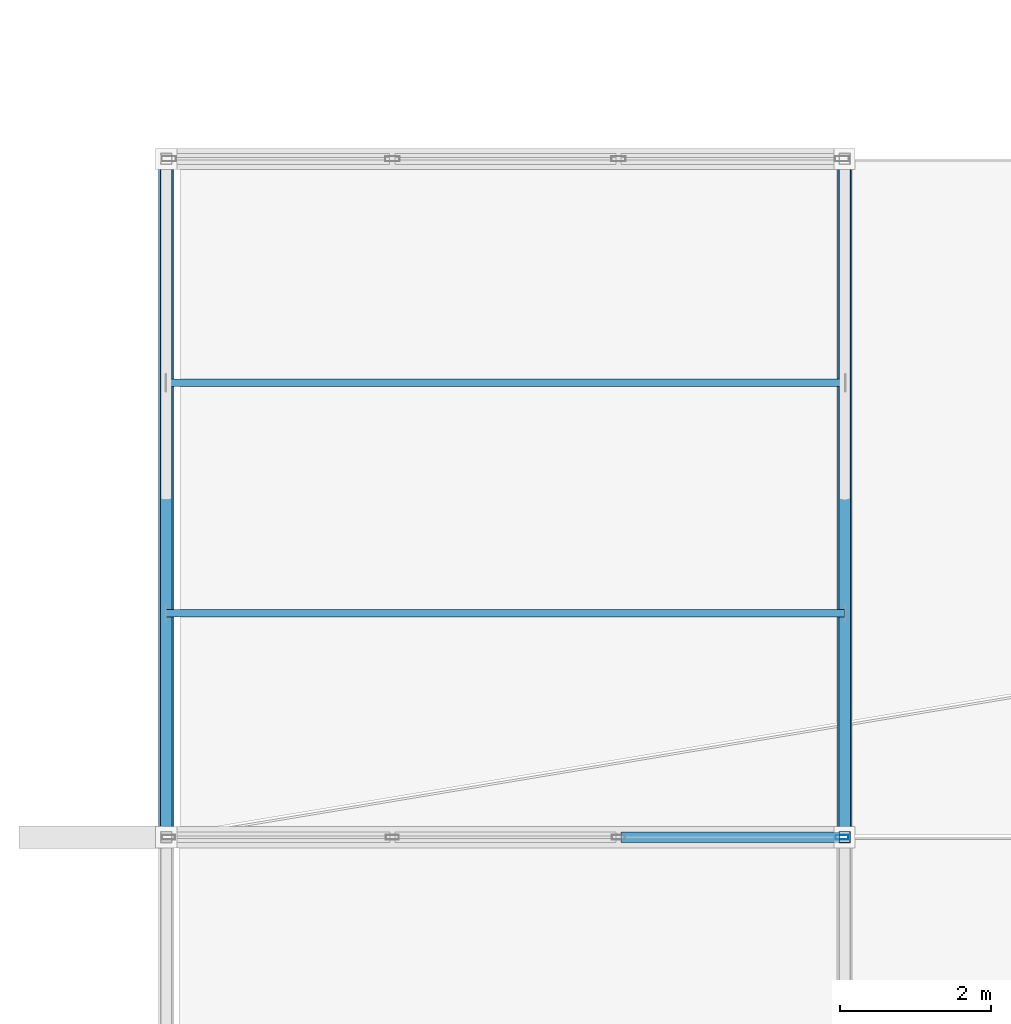
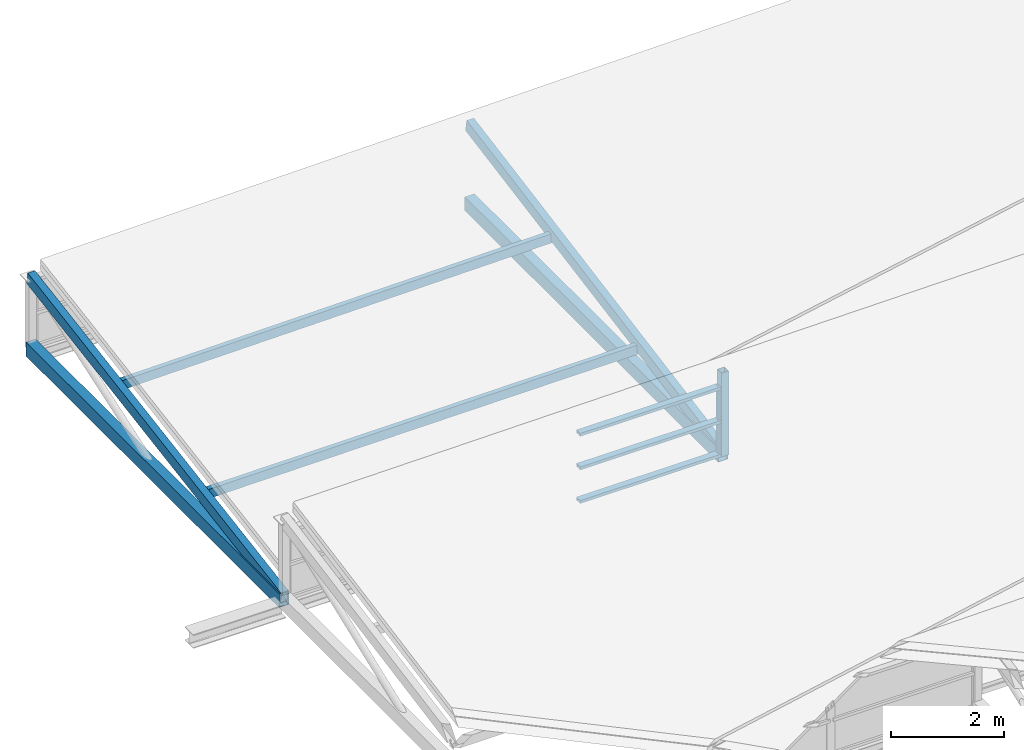
# One storey, part 24 of 103: 11 members, 1 element without a shape of its own.
"""IFC4 building model written with IfcOpenShell, lengths in metres."""

from ifc_helpers import new_model, si_unit, direction, frame, origin, origin_2d, place, context, subcontext, project, spatial, hollow_rectangle, extrude, material, layer, layer_set, material_profile, profile_set, type_object, element, aggregate, save


model = new_model("IFC4")

# Units and contexts
model_context = context("Model", 3, precision=1e-05, world=origin(), true_north=direction((0.0, 1.0)))
body_context = subcontext(model_context, "Body", "Model", "MODEL_VIEW")
ifc_project = project(units=[si_unit("LENGTHUNIT", "METRE"), si_unit("AREAUNIT", "SQUARE_METRE"), si_unit("VOLUMEUNIT", "CUBIC_METRE"), si_unit("PLANEANGLEUNIT", "RADIAN"), si_unit("MASSUNIT", "GRAM", prefix="KILO")], contexts=[model_context])

# Site, building, storey
site_placement = place(None, origin())
site = spatial("IfcSite", under=ifc_project, at=site_placement, CompositionType="ELEMENT")
building_placement = place(site_placement, origin())
building = spatial("IfcBuilding", under=site, at=building_placement, Name="Deido Ridge Mobility Hub", CompositionType="ELEMENT")
storey_placement = place(building_placement, frame((0.0, 0.0, 12.60009765625)))
storey = spatial("IfcBuildingStorey", under=building, at=storey_placement, Name="L03", CompositionType="ELEMENT", Elevation=12.60009765625)

# Members
ifc_material_1 = material(Name="Steel S355J2H EN 10210-1", Category="steel")
ifc_material_profile_1 = material_profile(ifc_material_1, hollow_rectangle(XDim=0.199951171875, YDim=0.300048828125, WallThickness=0.012451171875, at=origin_2d()), Name="RHS 300x200x12.5")
ifc_profile_set_1 = profile_set([ifc_material_profile_1], Name="Steel S355J2H EN 10210-1")
member_type_1 = type_object("IfcMemberType", Name="MEM-CHD-RHS300", PredefinedType="CHORD", material=ifc_profile_set_1)
for number, where, z_axis, x_axis, name in (
    (1, (0.0, 72.0, 0.0), (0.0, 1.0, 0.0), (-1.0, 0.0, 0.0), "Sawtooth bottom chord CH1"),
    (2, (9.0, 72.0, 0.0), (0.0, 1.0, 0.0), (-1.0, 0.0, 0.0), "Sawtooth bottom chord CH1"),
):
    element("IfcMember", number, at=place(storey_placement, frame(where, z_axis=z_axis, x_axis=x_axis)), inside=storey, type_object=member_type_1, Name=name, PredefinedType="CHORD", context=body_context, shape_type="SweptSolid", body=[
        extrude(hollow_rectangle(XDim=0.199951171875, YDim=0.300048828125, WallThickness=0.012451171875, at=origin_2d()), origin(), (0.0, 0.0, 1.0), 9.0),
    ])

# Curtain wall, member
ifc_material_2 = material(Name="Anodised aluminium EN AW-6063 T6", Category="aluminium")
ifc_layer = layer(ifc_material_2, 0.14404296875, Name="Anodised aluminium EN AW-6063 T6")
ifc_layer_set = layer_set([ifc_layer], Name="Anodised aluminium EN AW-6063 T6")
curtain_wall_type = type_object("IfcCurtainWallType", Name="CW-GS-2", PredefinedType="USERDEFINED", material=ifc_layer_set)
curtain_wall_placement = place(storey_placement, origin())
curtain_wall = element("IfcCurtainWall", 3, at=curtain_wall_placement, inside=storey, type_object=curtain_wall_type, Name="Unitised curtain wall GS2", ObjectType="GLAZED SCREEN", PredefinedType="USERDEFINED")
ifc_material_profile_2 = material_profile(ifc_material_2, hollow_rectangle(XDim=0.06494140625, YDim=0.175048828125, WallThickness=0.00390625, at=origin_2d()), Name="RHS 65x175x4")
ifc_profile_set_2 = profile_set([ifc_material_profile_2], Name="Anodised aluminium EN AW-6063 T6")
member_type_2 = type_object("IfcMemberType", Name="MEM-MUL-65X175", PredefinedType="MULLION", material=ifc_profile_set_2)
member_1_placement = place(storey_placement, frame((8.967529296875, 72.0, 0.0), z_axis=(0.0, 0.0, 1.0), x_axis=(0.0, 1.0, 0.0)))
member_1 = element("IfcMember", 4, at=member_1_placement, type_object=member_type_2, Name="GS2 mullion 4", PredefinedType="MULLION", context=body_context, shape_type="SweptSolid", body=[
    extrude(hollow_rectangle(XDim=0.06494140625, YDim=0.175048828125, WallThickness=0.00390625, at=origin_2d()), origin(), (0.0, 0.0, 1.0), 1.52001953125),
])

# Members
ifc_material_profile_3 = material_profile(ifc_material_1, hollow_rectangle(XDim=0.14990234375, YDim=0.14990234375, WallThickness=0.008056640625, at=origin_2d()), Name="SHS 150x150x8")
ifc_profile_set_3 = profile_set([ifc_material_profile_3], Name="Steel S355J2H EN 10210-1")
member_type_3 = type_object("IfcMemberType", Name="MEM-PST-SHS150", PredefinedType="POST", material=ifc_profile_set_3)
member_2_placement = place(storey_placement, frame((9.0, 72.0, 0.0), z_axis=(0.0, 0.0, 1.0), x_axis=(1.0, 0.0, 0.0)))
element("IfcMember", 5, at=member_2_placement, inside=storey, type_object=member_type_3, Name="Sawtooth clerestory post PS1", PredefinedType="POST", context=body_context, shape_type="SweptSolid", body=[
    extrude(hollow_rectangle(XDim=0.14990234375, YDim=0.14990234375, WallThickness=0.008056640625, at=origin_2d()), origin(), (0.0, 0.0, 1.0), 1.81982421875),
])
ifc_material_profile_4 = material_profile(ifc_material_1, hollow_rectangle(XDim=0.10009765625, YDim=0.199951171875, WallThickness=0.008056640625, at=origin_2d()), Name="RHS 200x100x8")
ifc_profile_set_4 = profile_set([ifc_material_profile_4], Name="Steel S355J2H EN 10210-1")
member_type_4 = type_object("IfcMemberType", Name="MEM-PUR-RHS200", PredefinedType="PURLIN", material=ifc_profile_set_4)
member_3_placement = place(storey_placement, frame((0.0, 74.969970703125, 0.458251953125), z_axis=(0.999982834304, 0.0, 0.00585927442), x_axis=(0.0, 1.0, 0.0)))
element("IfcMember", 6, at=member_3_placement, inside=storey, type_object=member_type_4, Name="Sawtooth roof purlin PR1", PredefinedType="PURLIN", context=body_context, shape_type="SweptSolid", body=[
    extrude(hollow_rectangle(XDim=0.10009765625, YDim=0.199951171875, WallThickness=0.008056640625, at=origin_2d()), origin(), (0.0, 0.0, 1.0), 9.000244140625),
])
member_4_placement = place(storey_placement, frame((0.0, 78.030029296875, 0.96142578125), z_axis=(0.999929099722, 0.0, 0.011907792827), x_axis=(0.0, 1.0, 0.0)))
element("IfcMember", 7, at=member_4_placement, inside=storey, type_object=member_type_4, Name="Sawtooth roof purlin PR1", PredefinedType="PURLIN", context=body_context, shape_type="SweptSolid", body=[
    extrude(hollow_rectangle(XDim=0.10009765625, YDim=0.199951171875, WallThickness=0.008056640625, at=origin_2d()), origin(), (0.0, 0.0, 1.0), 9.000732421875),
])
ifc_material_profile_5 = material_profile(ifc_material_1, hollow_rectangle(XDim=0.14990234375, YDim=0.25, WallThickness=0.010009765625, at=origin_2d()), Name="RHS 250x150x10")
ifc_profile_set_5 = profile_set([ifc_material_profile_5], Name="Steel S355J2H EN 10210-1")
member_type_5 = type_object("IfcMemberType", Name="MEM-RAF-RHS250", PredefinedType="RAFTER", material=ifc_profile_set_5)
member_5_placement = place(storey_placement, frame((0.0, 72.0, 0.0498046875), z_axis=(0.0, 0.98674754395, 0.162263010293), x_axis=(-1.0, 0.0, 0.0)))
element("IfcMember", 8, at=member_5_placement, inside=storey, type_object=member_type_5, Name="Sawtooth sloped rafter RF1", PredefinedType="RAFTER", context=body_context, shape_type="SweptSolid", body=[
    extrude(hollow_rectangle(XDim=0.14990234375, YDim=0.25, WallThickness=0.010009765625, at=origin_2d()), origin(), (0.0, 0.0, 1.0), 9.120849609375),
])
member_6_placement = place(storey_placement, frame((9.0, 72.0, 0.0498046875), z_axis=(0.0, 0.983797239891, 0.179284664106), x_axis=(-1.0, 0.0, 0.0)))
element("IfcMember", 9, at=member_6_placement, inside=storey, type_object=member_type_5, Name="Sawtooth sloped rafter RF1", PredefinedType="RAFTER", context=body_context, shape_type="SweptSolid", body=[
    extrude(hollow_rectangle(XDim=0.14990234375, YDim=0.25, WallThickness=0.010009765625, at=origin_2d()), origin(), (0.0, 0.0, 1.0), 9.148193359375),
])

# Member
ifc_material_profile_6 = material_profile(ifc_material_2, hollow_rectangle(XDim=0.135009765625, YDim=0.06494140625, WallThickness=0.00390625, at=origin_2d()), Name="RHS 135x65x4")
ifc_profile_set_6 = profile_set([ifc_material_profile_6], Name="Anodised aluminium EN AW-6063 T6")
member_type_6 = type_object("IfcMemberType", Name="MEM-TRN-135X65", PredefinedType="USERDEFINED", material=ifc_profile_set_6)
member_7_placement = place(storey_placement, frame((6.032470703125, 72.0, 0.032470703125), z_axis=(1.0, 0.0, 0.0), x_axis=(0.0, 1.0, 0.0)))
member_7 = element("IfcMember", 10, at=member_7_placement, type_object=member_type_6, Name="GS2 transom 3.1", ObjectType="TRANSOM", PredefinedType="USERDEFINED", context=body_context, shape_type="SweptSolid", body=[
    extrude(hollow_rectangle(XDim=0.135009765625, YDim=0.06494140625, WallThickness=0.00390625, at=origin_2d()), origin(), (0.0, 0.0, 1.0), 2.902587890625),
])

member_8_placement = place(storey_placement, frame((6.032470703125, 72.0, 0.760009765625), z_axis=(1.0, 0.0, 0.0), x_axis=(0.0, 1.0, 0.0)))
member_8 = element("IfcMember", 11, at=member_8_placement, type_object=member_type_6, Name="GS2 transom 3.2", ObjectType="TRANSOM", PredefinedType="USERDEFINED", context=body_context, shape_type="SweptSolid", body=[
    extrude(hollow_rectangle(XDim=0.135009765625, YDim=0.06494140625, WallThickness=0.00390625, at=origin_2d()), origin(), (0.0, 0.0, 1.0), 2.902587890625),
])

member_9_placement = place(storey_placement, frame((6.032470703125, 72.0, 1.4873046875), z_axis=(1.0, 0.0, 0.0), x_axis=(0.0, 1.0, 0.0)))
member_9 = element("IfcMember", 12, at=member_9_placement, type_object=member_type_6, Name="GS2 transom 3.3", ObjectType="TRANSOM", PredefinedType="USERDEFINED", context=body_context, shape_type="SweptSolid", body=[
    extrude(hollow_rectangle(XDim=0.135009765625, YDim=0.06494140625, WallThickness=0.00390625, at=origin_2d()), origin(), (0.0, 0.0, 1.0), 2.902587890625),
])

aggregate(curtain_wall, [member_1, member_7, member_8, member_9])

save(model, "model.ifc")
